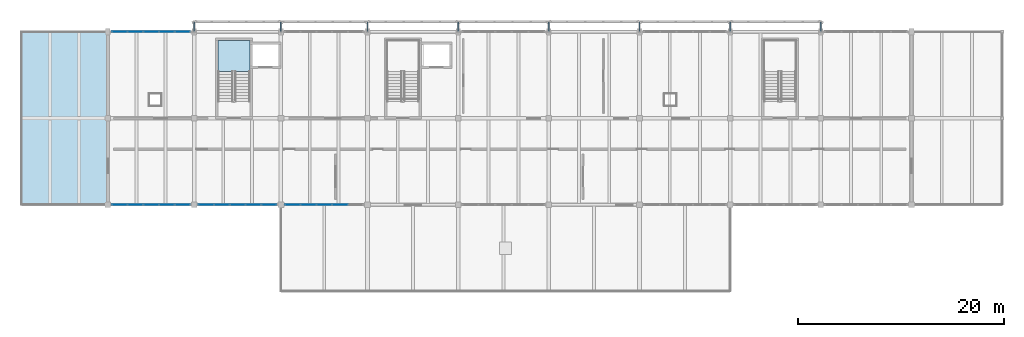
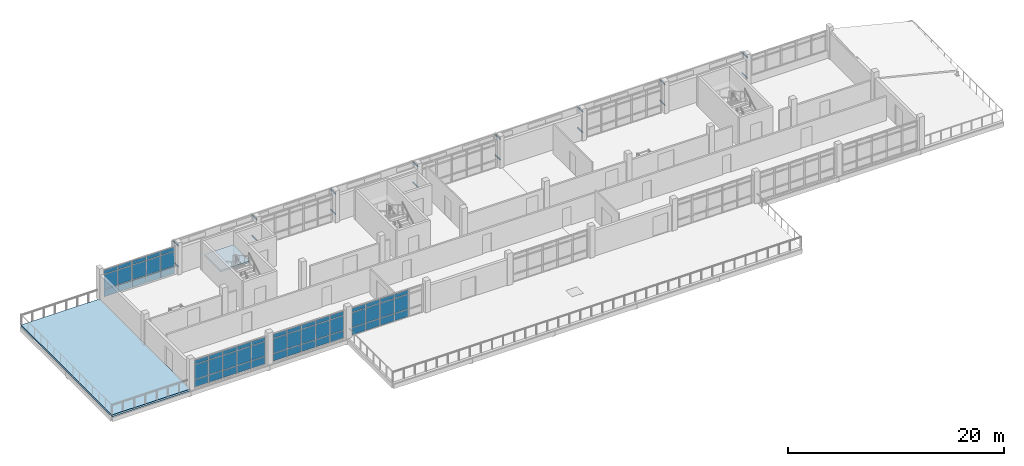
# One storey, part 20 of 30: 57 plates, 16 members, 2 slabs, 5 elements without a shape of their own.
"""IFC4 building model written with IfcOpenShell, lengths in metres."""

import ifcopenshell
import ifcopenshell.guid

model = None  # the IFC model being written
_history = None  # IfcOwnerHistory: only IFC2X3 demands one
_inside = {}  # id of a spatial element -> (the spatial element, [elements in it])
_under = {}  # id of a project, library or spatial element -> (it, [spatial elements below it])
_declared = {}  # id of a project -> (the project, [libraries it declares])
_typed = {}  # id of a type object -> (the type object, [elements of that type])
_made_of = {}  # id of a material, layer set ... -> (it, [elements and type objects made of it])


def new_model(schema):
    """Start an empty IFC model of exactly this schema.

    Asked for "IFC4X3", IfcOpenShell would pick the latest addendum, in which some entities
    have other attributes; the version numbers below select the first issue.
    IFC2X3 requires an IfcOwnerHistory on every rooted entity: one is made here for all.
    """
    global model, _history
    if schema == "IFC4X3":
        model = ifcopenshell.file(schema_version=(4, 3, 0, 0))
    else:
        model = ifcopenshell.file(schema=schema)
    _inside.clear()
    _under.clear()
    _declared.clear()
    _typed.clear()
    _made_of.clear()
    _history = None
    if model.schema == "IFC2X3":
        org = make("IfcOrganization", Name="unknown")
        user = make(
            "IfcPersonAndOrganization",
            ThePerson=make("IfcPerson", FamilyName="unknown"),
            TheOrganization=org,
        )
        app = make(
            "IfcApplication",
            ApplicationDeveloper=org,
            Version="unknown",
            ApplicationFullName="unknown",
            ApplicationIdentifier="unknown",
        )
        _history = make(
            "IfcOwnerHistory",
            OwningUser=user,
            OwningApplication=app,
            ChangeAction="ADDED",
            CreationDate=0,
        )
    return model


def make(cls, **values):
    """One entity of the class cls with the attributes given. An attribute that is None is left unset."""
    return model.create_entity(
        cls, **{name: value for name, value in values.items() if value is not None}
    )


def rooted(cls, **values):
    """An entity with a GlobalId (a new one), such as an element, a storey or a relation."""
    return make(cls, GlobalId=ifcopenshell.guid.new(), OwnerHistory=_history, **values)


def si_unit(unit_type, name, prefix=None):
    """IfcSIUnit, for example si_unit("LENGTHUNIT", "METRE", prefix="MILLI")."""
    return make("IfcSIUnit", UnitType=unit_type, Prefix=prefix, Name=name)


def assignment(units):
    """IfcUnitAssignment: the units of a project."""
    return None if units is None else make("IfcUnitAssignment", Units=units)


def point(xyz):
    """IfcCartesianPoint."""
    return None if xyz is None else make("IfcCartesianPoint", Coordinates=xyz)


def direction(xyz):
    """IfcDirection."""
    return None if xyz is None else make("IfcDirection", DirectionRatios=xyz)


def frame(location, z_axis=None, x_axis=None):
    """IfcAxis2Placement3D, a coordinate frame: its origin and axes. An axis left out is left unset."""
    return make(
        "IfcAxis2Placement3D",
        Location=point(location),
        Axis=direction(z_axis),
        RefDirection=direction(x_axis),
    )


def frame_2d(location, x_axis=None):
    """IfcAxis2Placement2D, a coordinate frame in the plane: its origin and x axis."""
    return make(
        "IfcAxis2Placement2D", Location=point(location), RefDirection=direction(x_axis)
    )


def origin():
    """The frame at (0, 0, 0) with its axes left unset."""
    return frame((0.0, 0.0, 0.0))


def origin_2d():
    """The frame at (0, 0) in the plane with its x axis left unset."""
    return frame_2d((0.0, 0.0))


def place(relative_to, where):
    """IfcLocalPlacement: puts the frame where relative to a parent placement (None: the world)."""
    return make(
        "IfcLocalPlacement", PlacementRelTo=relative_to, RelativePlacement=where
    )


def context(
    kind, dimensions, precision=None, world=None, true_north=None, identifier=None
):
    """IfcGeometricRepresentationContext, for example the 3D "Model" context."""
    return make(
        "IfcGeometricRepresentationContext",
        ContextIdentifier=identifier,
        ContextType=kind,
        CoordinateSpaceDimension=dimensions,
        Precision=precision,
        WorldCoordinateSystem=world,
        TrueNorth=true_north,
    )


def subcontext(parent, identifier, kind, view, scale=None):
    """IfcGeometricRepresentationSubContext, for example "Body" below "Model"."""
    return make(
        "IfcGeometricRepresentationSubContext",
        ContextIdentifier=identifier,
        ContextType=kind,
        ParentContext=parent,
        TargetScale=scale,
        TargetView=view,
    )


def project(units=None, contexts=None):
    """IfcProject with its units and contexts."""
    return rooted(
        "IfcProject",
        Name="project",
        RepresentationContexts=contexts,
        UnitsInContext=assignment(units),
    )


def spatial(cls, under=None, at=None, **own):
    """A site, building, storey or space (cls), placed at a placement, below another one or the project."""
    s = rooted(cls, ObjectPlacement=at, **own)
    if under is not None:
        _under.setdefault(under.id(), (under, []))[1].append(s)
    return s


def polyline(points):
    """IfcPolyline through the points."""
    return make("IfcPolyline", Points=[point(p) for p in points])


def profile(cls, at=None, kind="AREA", **sizes):
    """A parametric profile (cls). Its sizes go by their IFC names, for example OverallWidth=200.0."""
    return make(cls, ProfileType=kind, Position=at, **sizes)


def rectangle(**sizes):
    """IfcRectangleProfileDef."""
    return profile("IfcRectangleProfileDef", **sizes)


def hollow_circle(**sizes):
    """IfcCircleHollowProfileDef."""
    return profile("IfcCircleHollowProfileDef", **sizes)


def outline(outer, holes=None, kind="AREA"):
    """IfcArbitraryClosedProfileDef: a profile drawn as a closed curve; with holes, ...WithVoids."""
    if holes is None:
        return make("IfcArbitraryClosedProfileDef", ProfileType=kind, OuterCurve=outer)
    return make(
        "IfcArbitraryProfileDefWithVoids",
        ProfileType=kind,
        OuterCurve=outer,
        InnerCurves=holes,
    )


def extrude(swept, where, along, depth):
    """IfcExtrudedAreaSolid: the profile swept, set in the frame where, extruded along a direction by depth."""
    return make(
        "IfcExtrudedAreaSolid",
        SweptArea=swept,
        Position=where,
        ExtrudedDirection=direction(along),
        Depth=depth,
    )


def shape(context_of_items, identifier, shape_type, items):
    """IfcShapeRepresentation: the items that make up one representation, for example the "Body"."""
    return make(
        "IfcShapeRepresentation",
        ContextOfItems=context_of_items,
        RepresentationIdentifier=identifier,
        RepresentationType=shape_type,
        Items=items,
    )


def material(Name=None, Category=None):
    """IfcMaterial."""
    return make("IfcMaterial", Name=Name, Category=Category)


def layer(
    of_material, thickness, ventilated=None, Name=None, Category=None, Priority=None
):
    """IfcMaterialLayer: one layer of a wall or slab, of a material (None: an air gap)."""
    return make(
        "IfcMaterialLayer",
        Material=of_material,
        LayerThickness=thickness,
        IsVentilated=ventilated,
        Name=Name,
        Category=Category,
        Priority=Priority,
    )


def layer_set(layers, Name=None):
    """IfcMaterialLayerSet."""
    return make("IfcMaterialLayerSet", MaterialLayers=layers, LayerSetName=Name)


def material_profile(
    of_material, cross_section, Name=None, Category=None, Priority=None
):
    """IfcMaterialProfile: a cross section and its material."""
    return make(
        "IfcMaterialProfile",
        Name=Name,
        Material=of_material,
        Profile=cross_section,
        Priority=Priority,
        Category=Category,
    )


def profile_set(profiles, Name=None, composite=None):
    """IfcMaterialProfileSet."""
    return make(
        "IfcMaterialProfileSet",
        Name=Name,
        MaterialProfiles=profiles,
        CompositeProfile=composite,
    )


def made_of(thing, what):
    """Note that an element or type object is made of a material, layer set ...; save() writes the relation."""
    if what is not None:
        _made_of.setdefault(what.id(), (what, []))[1].append(thing)
    return thing


def type_object(cls, material=None, **own):
    """A type object (cls), such as IfcWallType, which elements share."""
    return made_of(rooted(cls, **own), material)


def element(
    cls,
    number,
    at=None,
    inside=None,
    cuts=None,
    type_object=None,
    material=None,
    context=None,
    identifier="Body",
    shape_type=None,
    held_by="IfcProductDefinitionShape",
    body=None,
    shapes=None,
    **own,
):
    """One element of the class cls, such as IfcWall. Its Tag is "e" and its number.

    at: its placement. inside: the storey or other place that contains it. cuts: it is an
    opening in that element (IfcRelVoidsElement). A single representation is given by context,
    identifier, shape_type and body (its items); several are given by shapes. held_by: the class
    of the entity that holds the representations. save() writes the other relations.
    """
    e = rooted(cls, Tag="e%d" % number, ObjectPlacement=at, **own)
    if body is not None:
        shapes = [shape(context, identifier, shape_type, body)]
    if shapes is not None:
        e.Representation = make(held_by, Representations=shapes)
    if inside is not None:
        _inside.setdefault(inside.id(), (inside, []))[1].append(e)
    if cuts is not None:
        rooted(
            "IfcRelVoidsElement", RelatingBuildingElement=cuts, RelatedOpeningElement=e
        )
    if type_object is not None:
        _typed.setdefault(type_object.id(), (type_object, []))[1].append(e)
    return made_of(e, material)


def aggregate(whole, parts):
    """IfcRelAggregates: a whole, such as a stair, and the parts it consists of."""
    return rooted("IfcRelAggregates", RelatingObject=whole, RelatedObjects=parts)


def save(model, path):
    """Write the relations noted so far, then the file.

    IfcRelAggregates (storeys below a building ...), IfcRelContainedInSpatialStructure (elements
    in a storey), IfcRelDefinesByType, IfcRelAssociatesMaterial and IfcRelDeclares: one each for
    every whole, place, type object, material and project.
    """
    for whole, parts in _under.values():
        aggregate(whole, parts)
    for where, things in _inside.values():
        rooted(
            "IfcRelContainedInSpatialStructure",
            RelatedElements=things,
            RelatingStructure=where,
        )
    for kind, things in _typed.values():
        rooted("IfcRelDefinesByType", RelatedObjects=things, RelatingType=kind)
    for what, things in _made_of.values():
        rooted("IfcRelAssociatesMaterial", RelatedObjects=things, RelatingMaterial=what)
    for by, libraries in _declared.values():
        rooted("IfcRelDeclares", RelatingContext=by, RelatedDefinitions=libraries)
    model.write(path)


model = new_model("IFC4")

# Units and contexts
model_context = context("Model", 3, precision=1e-05, world=origin(), true_north=direction((0.0, 1.0)))
body_context = subcontext(model_context, "Body", "Model", "MODEL_VIEW")
ifc_project = project(units=[si_unit("LENGTHUNIT", "METRE"), si_unit("AREAUNIT", "SQUARE_METRE"), si_unit("VOLUMEUNIT", "CUBIC_METRE"), si_unit("PLANEANGLEUNIT", "RADIAN"), si_unit("MASSUNIT", "GRAM", prefix="KILO")], contexts=[model_context])

# Site, building, storey
site_placement = place(None, origin())
site = spatial("IfcSite", under=ifc_project, at=site_placement, CompositionType="ELEMENT")
building_placement = place(site_placement, origin())
building = spatial("IfcBuilding", under=site, at=building_placement, Name="Cinderway Yard Community Centre", CompositionType="ELEMENT")
storey_placement = place(building_placement, frame((0.0, 0.0, 16.5)))
storey = spatial("IfcBuildingStorey", under=building, at=storey_placement, Name="L04", CompositionType="ELEMENT", Elevation=16.5)

# Members
ifc_material_1 = material(Name="Steel S355", Category="steel")
ifc_material_profile = material_profile(ifc_material_1, hollow_circle(Radius=0.06982421875, WallThickness=0.00634765625, at=origin_2d()), Name="Steel S355")
ifc_profile_set = profile_set([ifc_material_profile], Name="Steel S355")
member_type = type_object("IfcMemberType", Name="STR-MEM-STRUT-CHS140", PredefinedType="STRUT", material=ifc_profile_set)
for number, where, z_axis, x_axis, name in (
    (1, (58.39990234375, 115.199951171875, 0.7099609375), (0.0, 1.0, 0.0), (-1.0, 0.0, 0.0), "Screen outrigger strut 0141"),
    (2, (58.39990234375, 115.199951171875, 3.0400390625), (0.0, 1.0, 0.0), (-1.0, 0.0, 0.0), "Screen outrigger strut 0142"),
    (3, (66.800048828125, 115.199951171875, 0.7099609375), (0.0, 1.0, 0.0), (-1.0, 0.0, 0.0), "Screen outrigger strut 0145"),
    (4, (66.800048828125, 115.199951171875, 3.0400390625), (0.0, 1.0, 0.0), (-1.0, 0.0, 0.0), "Screen outrigger strut 0146"),
    (5, (75.199951171875, 115.199951171875, 0.7099609375), (0.0, 1.0, 0.0), (-1.0, 0.0, 0.0), "Screen outrigger strut 0149"),
    (6, (75.199951171875, 115.199951171875, 3.0400390625), (0.0, 1.0, 0.0), (-1.0, 0.0, 0.0), "Screen outrigger strut 0150"),
    (7, (84.0, 115.199951171875, 0.7099609375), (0.0, 1.0, 0.0), (-1.0, 0.0, 0.0), "Screen outrigger strut 0153"),
    (8, (84.0, 115.199951171875, 3.0400390625), (0.0, 1.0, 0.0), (-1.0, 0.0, 0.0), "Screen outrigger strut 0154"),
    (9, (92.800048828125, 115.199951171875, 0.7099609375), (0.0, 1.0, 0.0), (-1.0, 0.0, 0.0), "Screen outrigger strut 0157"),
    (10, (92.800048828125, 115.199951171875, 3.0400390625), (0.0, 1.0, 0.0), (-1.0, 0.0, 0.0), "Screen outrigger strut 0158"),
    (11, (101.60009765625, 115.199951171875, 0.7099609375), (0.0, 1.0, 0.0), (-1.0, 0.0, 0.0), "Screen outrigger strut 0161"),
    (12, (101.60009765625, 115.199951171875, 3.0400390625), (0.0, 1.0, 0.0), (-1.0, 0.0, 0.0), "Screen outrigger strut 0162"),
    (13, (110.39990234375, 115.199951171875, 0.7099609375), (0.0, 1.0, 0.0), (-1.0, 0.0, 0.0), "Screen outrigger strut 0165"),
    (14, (110.39990234375, 115.199951171875, 3.0400390625), (0.0, 1.0, 0.0), (-1.0, 0.0, 0.0), "Screen outrigger strut 0166"),
    (15, (119.199951171875, 115.199951171875, 0.7099609375), (0.0, 1.0, 0.0), (-1.0, 0.0, 0.0), "Screen outrigger strut 0169"),
    (16, (119.199951171875, 115.199951171875, 3.0400390625), (0.0, 1.0, 0.0), (-1.0, 0.0, 0.0), "Screen outrigger strut 0170"),
):
    element("IfcMember", number, at=place(storey_placement, frame(where, z_axis=z_axis, x_axis=x_axis)), inside=storey, type_object=member_type, Name=name, PredefinedType="STRUT", context=body_context, shape_type="SweptSolid", body=[
        extrude(hollow_circle(Radius=0.06982421875, WallThickness=0.00634765625, at=origin_2d()), origin(), (0.0, 0.0, 1.0), 0.949951171875),
    ])

# Curtain wall, plates
ifc_material_2 = material(Name="Aluminium 6063-T6", Category="aluminium")
curtain_wall_type = type_object("IfcCurtainWallType", Name="ENV-CW-TYPE-32", PredefinedType="USERDEFINED", material=ifc_material_2)
curtain_wall_1_placement = place(storey_placement, origin())
curtain_wall_1 = element("IfcCurtainWall", 17, at=curtain_wall_1_placement, inside=storey, type_object=curtain_wall_type, Name="V4 Street Curtain Wall ENV-CW-L04-ST-0176", ObjectType="GLAZED CURTAIN WALL", PredefinedType="USERDEFINED")
ifc_material_3 = material(Name="Laminated Low-E Glass", Category="glass")
ifc_layer_1 = layer(ifc_material_3, 0.028076171875, Name="Laminated Low-E Glass")
ifc_layer_set_1 = layer_set([ifc_layer_1], Name="Laminated Low-E Glass")
plate_type = type_object("IfcPlateType", Name="ENV-CW-PAN-IGU28", PredefinedType="CURTAIN_PANEL", material=ifc_layer_set_1)
plate_1_placement = place(storey_placement, frame((51.158935546875, 115.199951171875, 0.06005859375), z_axis=(0.0, 0.0, 1.0), x_axis=(1.0, 0.0, 0.0)))
plate_1 = element("IfcPlate", 18, at=plate_1_placement, type_object=plate_type, Name="CW-32 panel 1.1", PredefinedType="CURTAIN_PANEL", context=body_context, shape_type="SweptSolid", body=[
    extrude(rectangle(XDim=1.43798828125, YDim=0.028076171875, at=origin_2d()), origin(), (0.0, 0.0, 1.0), 0.81005859375),
])
plate_2_placement = place(storey_placement, frame((51.158935546875, 115.199951171875, 0.93017578125), z_axis=(0.0, 0.0, 1.0), x_axis=(1.0, 0.0, 0.0)))
plate_2 = element("IfcPlate", 19, at=plate_2_placement, type_object=plate_type, Name="CW-32 panel 1.2", PredefinedType="CURTAIN_PANEL", context=body_context, shape_type="SweptSolid", body=[
    extrude(rectangle(XDim=1.43798828125, YDim=0.028076171875, at=origin_2d()), origin(), (0.0, 0.0, 1.0), 1.639892578125),
])
plate_3_placement = place(storey_placement, frame((51.158935546875, 115.199951171875, 2.630126953125), z_axis=(0.0, 0.0, 1.0), x_axis=(1.0, 0.0, 0.0)))
plate_3 = element("IfcPlate", 20, at=plate_3_placement, type_object=plate_type, Name="CW-32 panel 1.3", PredefinedType="CURTAIN_PANEL", context=body_context, shape_type="SweptSolid", body=[
    extrude(rectangle(XDim=1.43798828125, YDim=0.028076171875, at=origin_2d()), origin(), (0.0, 0.0, 1.0), 0.4599609375),
])
plate_4_placement = place(storey_placement, frame((52.672119140625, 115.199951171875, 0.06005859375), z_axis=(0.0, 0.0, 1.0), x_axis=(1.0, 0.0, 0.0)))
plate_4 = element("IfcPlate", 21, at=plate_4_placement, type_object=plate_type, Name="CW-32 panel 2.1", PredefinedType="CURTAIN_PANEL", context=body_context, shape_type="SweptSolid", body=[
    extrude(rectangle(XDim=1.468017578125, YDim=0.028076171875, at=origin_2d()), origin(), (0.0, 0.0, 1.0), 0.81005859375),
])
plate_5_placement = place(storey_placement, frame((52.672119140625, 115.199951171875, 0.93017578125), z_axis=(0.0, 0.0, 1.0), x_axis=(1.0, 0.0, 0.0)))
plate_5 = element("IfcPlate", 22, at=plate_5_placement, type_object=plate_type, Name="CW-32 panel 2.2", PredefinedType="CURTAIN_PANEL", context=body_context, shape_type="SweptSolid", body=[
    extrude(rectangle(XDim=1.468017578125, YDim=0.028076171875, at=origin_2d()), origin(), (0.0, 0.0, 1.0), 1.639892578125),
])
plate_6_placement = place(storey_placement, frame((52.672119140625, 115.199951171875, 2.630126953125), z_axis=(0.0, 0.0, 1.0), x_axis=(1.0, 0.0, 0.0)))
plate_6 = element("IfcPlate", 23, at=plate_6_placement, type_object=plate_type, Name="CW-32 panel 2.3", PredefinedType="CURTAIN_PANEL", context=body_context, shape_type="SweptSolid", body=[
    extrude(rectangle(XDim=1.468017578125, YDim=0.028076171875, at=origin_2d()), origin(), (0.0, 0.0, 1.0), 0.4599609375),
])
plate_7_placement = place(storey_placement, frame((54.199951171875, 115.199951171875, 0.06005859375), z_axis=(0.0, 0.0, 1.0), x_axis=(1.0, 0.0, 0.0)))
plate_7 = element("IfcPlate", 24, at=plate_7_placement, type_object=plate_type, Name="CW-32 panel 3.1", PredefinedType="CURTAIN_PANEL", context=body_context, shape_type="SweptSolid", body=[
    extrude(rectangle(XDim=1.468017578125, YDim=0.028076171875, at=origin_2d()), origin(), (0.0, 0.0, 1.0), 0.81005859375),
])
plate_8_placement = place(storey_placement, frame((54.199951171875, 115.199951171875, 0.93017578125), z_axis=(0.0, 0.0, 1.0), x_axis=(1.0, 0.0, 0.0)))
plate_8 = element("IfcPlate", 25, at=plate_8_placement, type_object=plate_type, Name="CW-32 panel 3.2", PredefinedType="CURTAIN_PANEL", context=body_context, shape_type="SweptSolid", body=[
    extrude(rectangle(XDim=1.468017578125, YDim=0.028076171875, at=origin_2d()), origin(), (0.0, 0.0, 1.0), 1.639892578125),
])
plate_9_placement = place(storey_placement, frame((54.199951171875, 115.199951171875, 2.630126953125), z_axis=(0.0, 0.0, 1.0), x_axis=(1.0, 0.0, 0.0)))
plate_9 = element("IfcPlate", 26, at=plate_9_placement, type_object=plate_type, Name="CW-32 panel 3.3", PredefinedType="CURTAIN_PANEL", context=body_context, shape_type="SweptSolid", body=[
    extrude(rectangle(XDim=1.468017578125, YDim=0.028076171875, at=origin_2d()), origin(), (0.0, 0.0, 1.0), 0.4599609375),
])
plate_10_placement = place(storey_placement, frame((55.72802734375, 115.199951171875, 0.06005859375), z_axis=(0.0, 0.0, 1.0), x_axis=(1.0, 0.0, 0.0)))
plate_10 = element("IfcPlate", 27, at=plate_10_placement, type_object=plate_type, Name="CW-32 panel 4.1", PredefinedType="CURTAIN_PANEL", context=body_context, shape_type="SweptSolid", body=[
    extrude(rectangle(XDim=1.468017578125, YDim=0.028076171875, at=origin_2d()), origin(), (0.0, 0.0, 1.0), 0.81005859375),
])
plate_11_placement = place(storey_placement, frame((55.72802734375, 115.199951171875, 0.93017578125), z_axis=(0.0, 0.0, 1.0), x_axis=(1.0, 0.0, 0.0)))
plate_11 = element("IfcPlate", 28, at=plate_11_placement, type_object=plate_type, Name="CW-32 panel 4.2", PredefinedType="CURTAIN_PANEL", context=body_context, shape_type="SweptSolid", body=[
    extrude(rectangle(XDim=1.468017578125, YDim=0.028076171875, at=origin_2d()), origin(), (0.0, 0.0, 1.0), 1.639892578125),
])
plate_12_placement = place(storey_placement, frame((55.72802734375, 115.199951171875, 2.630126953125), z_axis=(0.0, 0.0, 1.0), x_axis=(1.0, 0.0, 0.0)))
plate_12 = element("IfcPlate", 29, at=plate_12_placement, type_object=plate_type, Name="CW-32 panel 4.3", PredefinedType="CURTAIN_PANEL", context=body_context, shape_type="SweptSolid", body=[
    extrude(rectangle(XDim=1.468017578125, YDim=0.028076171875, at=origin_2d()), origin(), (0.0, 0.0, 1.0), 0.4599609375),
])
plate_13_placement = place(storey_placement, frame((57.240966796875, 115.199951171875, 0.06005859375), z_axis=(0.0, 0.0, 1.0), x_axis=(1.0, 0.0, 0.0)))
plate_13 = element("IfcPlate", 30, at=plate_13_placement, type_object=plate_type, Name="CW-32 panel 5.1", PredefinedType="CURTAIN_PANEL", context=body_context, shape_type="SweptSolid", body=[
    extrude(rectangle(XDim=1.43798828125, YDim=0.028076171875, at=origin_2d()), origin(), (0.0, 0.0, 1.0), 0.81005859375),
])
plate_14_placement = place(storey_placement, frame((57.240966796875, 115.199951171875, 0.93017578125), z_axis=(0.0, 0.0, 1.0), x_axis=(1.0, 0.0, 0.0)))
plate_14 = element("IfcPlate", 31, at=plate_14_placement, type_object=plate_type, Name="CW-32 panel 5.2", PredefinedType="CURTAIN_PANEL", context=body_context, shape_type="SweptSolid", body=[
    extrude(rectangle(XDim=1.43798828125, YDim=0.028076171875, at=origin_2d()), origin(), (0.0, 0.0, 1.0), 1.639892578125),
])
plate_15_placement = place(storey_placement, frame((57.240966796875, 115.199951171875, 2.630126953125), z_axis=(0.0, 0.0, 1.0), x_axis=(1.0, 0.0, 0.0)))
plate_15 = element("IfcPlate", 32, at=plate_15_placement, type_object=plate_type, Name="CW-32 panel 5.3", PredefinedType="CURTAIN_PANEL", context=body_context, shape_type="SweptSolid", body=[
    extrude(rectangle(XDim=1.43798828125, YDim=0.028076171875, at=origin_2d()), origin(), (0.0, 0.0, 1.0), 0.4599609375),
])
aggregate(curtain_wall_1, [plate_1, plate_2, plate_3, plate_4, plate_5, plate_6, plate_7, plate_8, plate_9, plate_10, plate_11, plate_12, plate_13, plate_14, plate_15])

curtain_wall_2_placement = place(storey_placement, origin())
curtain_wall_2 = element("IfcCurtainWall", 33, at=curtain_wall_2_placement, inside=storey, type_object=curtain_wall_type, Name="V4 Courtyard Curtain Wall ENV-CW-L04-ST-0177", ObjectType="GLAZED CURTAIN WALL", PredefinedType="USERDEFINED")
plate_16_placement = place(storey_placement, frame((51.158935546875, 98.39990234375, 0.06005859375), z_axis=(0.0, 0.0, 1.0), x_axis=(1.0, 0.0, 0.0)))
plate_16 = element("IfcPlate", 34, at=plate_16_placement, type_object=plate_type, Name="CW-32 panel 1.1", PredefinedType="CURTAIN_PANEL", context=body_context, shape_type="SweptSolid", body=[
    extrude(rectangle(XDim=1.43798828125, YDim=0.028076171875, at=origin_2d()), origin(), (0.0, 0.0, 1.0), 0.81005859375),
])
plate_17_placement = place(storey_placement, frame((51.158935546875, 98.39990234375, 0.93017578125), z_axis=(0.0, 0.0, 1.0), x_axis=(1.0, 0.0, 0.0)))
plate_17 = element("IfcPlate", 35, at=plate_17_placement, type_object=plate_type, Name="CW-32 panel 1.2", PredefinedType="CURTAIN_PANEL", context=body_context, shape_type="SweptSolid", body=[
    extrude(rectangle(XDim=1.43798828125, YDim=0.028076171875, at=origin_2d()), origin(), (0.0, 0.0, 1.0), 1.639892578125),
])
plate_18_placement = place(storey_placement, frame((51.158935546875, 98.39990234375, 2.630126953125), z_axis=(0.0, 0.0, 1.0), x_axis=(1.0, 0.0, 0.0)))
plate_18 = element("IfcPlate", 36, at=plate_18_placement, type_object=plate_type, Name="CW-32 panel 1.3", PredefinedType="CURTAIN_PANEL", context=body_context, shape_type="SweptSolid", body=[
    extrude(rectangle(XDim=1.43798828125, YDim=0.028076171875, at=origin_2d()), origin(), (0.0, 0.0, 1.0), 0.4599609375),
])
plate_19_placement = place(storey_placement, frame((52.672119140625, 98.39990234375, 0.06005859375), z_axis=(0.0, 0.0, 1.0), x_axis=(1.0, 0.0, 0.0)))
plate_19 = element("IfcPlate", 37, at=plate_19_placement, type_object=plate_type, Name="CW-32 panel 2.1", PredefinedType="CURTAIN_PANEL", context=body_context, shape_type="SweptSolid", body=[
    extrude(rectangle(XDim=1.468017578125, YDim=0.028076171875, at=origin_2d()), origin(), (0.0, 0.0, 1.0), 0.81005859375),
])
plate_20_placement = place(storey_placement, frame((52.672119140625, 98.39990234375, 0.93017578125), z_axis=(0.0, 0.0, 1.0), x_axis=(1.0, 0.0, 0.0)))
plate_20 = element("IfcPlate", 38, at=plate_20_placement, type_object=plate_type, Name="CW-32 panel 2.2", PredefinedType="CURTAIN_PANEL", context=body_context, shape_type="SweptSolid", body=[
    extrude(rectangle(XDim=1.468017578125, YDim=0.028076171875, at=origin_2d()), origin(), (0.0, 0.0, 1.0), 1.639892578125),
])
plate_21_placement = place(storey_placement, frame((52.672119140625, 98.39990234375, 2.630126953125), z_axis=(0.0, 0.0, 1.0), x_axis=(1.0, 0.0, 0.0)))
plate_21 = element("IfcPlate", 39, at=plate_21_placement, type_object=plate_type, Name="CW-32 panel 2.3", PredefinedType="CURTAIN_PANEL", context=body_context, shape_type="SweptSolid", body=[
    extrude(rectangle(XDim=1.468017578125, YDim=0.028076171875, at=origin_2d()), origin(), (0.0, 0.0, 1.0), 0.4599609375),
])
plate_22_placement = place(storey_placement, frame((54.199951171875, 98.39990234375, 0.06005859375), z_axis=(0.0, 0.0, 1.0), x_axis=(1.0, 0.0, 0.0)))
plate_22 = element("IfcPlate", 40, at=plate_22_placement, type_object=plate_type, Name="CW-32 panel 3.1", PredefinedType="CURTAIN_PANEL", context=body_context, shape_type="SweptSolid", body=[
    extrude(rectangle(XDim=1.468017578125, YDim=0.028076171875, at=origin_2d()), origin(), (0.0, 0.0, 1.0), 0.81005859375),
])
plate_23_placement = place(storey_placement, frame((54.199951171875, 98.39990234375, 0.93017578125), z_axis=(0.0, 0.0, 1.0), x_axis=(1.0, 0.0, 0.0)))
plate_23 = element("IfcPlate", 41, at=plate_23_placement, type_object=plate_type, Name="CW-32 panel 3.2", PredefinedType="CURTAIN_PANEL", context=body_context, shape_type="SweptSolid", body=[
    extrude(rectangle(XDim=1.468017578125, YDim=0.028076171875, at=origin_2d()), origin(), (0.0, 0.0, 1.0), 1.639892578125),
])
plate_24_placement = place(storey_placement, frame((54.199951171875, 98.39990234375, 2.630126953125), z_axis=(0.0, 0.0, 1.0), x_axis=(1.0, 0.0, 0.0)))
plate_24 = element("IfcPlate", 42, at=plate_24_placement, type_object=plate_type, Name="CW-32 panel 3.3", PredefinedType="CURTAIN_PANEL", context=body_context, shape_type="SweptSolid", body=[
    extrude(rectangle(XDim=1.468017578125, YDim=0.028076171875, at=origin_2d()), origin(), (0.0, 0.0, 1.0), 0.4599609375),
])
plate_25_placement = place(storey_placement, frame((55.72802734375, 98.39990234375, 0.06005859375), z_axis=(0.0, 0.0, 1.0), x_axis=(1.0, 0.0, 0.0)))
plate_25 = element("IfcPlate", 43, at=plate_25_placement, type_object=plate_type, Name="CW-32 panel 4.1", PredefinedType="CURTAIN_PANEL", context=body_context, shape_type="SweptSolid", body=[
    extrude(rectangle(XDim=1.468017578125, YDim=0.028076171875, at=origin_2d()), origin(), (0.0, 0.0, 1.0), 0.81005859375),
])
plate_26_placement = place(storey_placement, frame((55.72802734375, 98.39990234375, 0.93017578125), z_axis=(0.0, 0.0, 1.0), x_axis=(1.0, 0.0, 0.0)))
plate_26 = element("IfcPlate", 44, at=plate_26_placement, type_object=plate_type, Name="CW-32 panel 4.2", PredefinedType="CURTAIN_PANEL", context=body_context, shape_type="SweptSolid", body=[
    extrude(rectangle(XDim=1.468017578125, YDim=0.028076171875, at=origin_2d()), origin(), (0.0, 0.0, 1.0), 1.639892578125),
])
plate_27_placement = place(storey_placement, frame((55.72802734375, 98.39990234375, 2.630126953125), z_axis=(0.0, 0.0, 1.0), x_axis=(1.0, 0.0, 0.0)))
plate_27 = element("IfcPlate", 45, at=plate_27_placement, type_object=plate_type, Name="CW-32 panel 4.3", PredefinedType="CURTAIN_PANEL", context=body_context, shape_type="SweptSolid", body=[
    extrude(rectangle(XDim=1.468017578125, YDim=0.028076171875, at=origin_2d()), origin(), (0.0, 0.0, 1.0), 0.4599609375),
])
plate_28_placement = place(storey_placement, frame((57.240966796875, 98.39990234375, 0.06005859375), z_axis=(0.0, 0.0, 1.0), x_axis=(1.0, 0.0, 0.0)))
plate_28 = element("IfcPlate", 46, at=plate_28_placement, type_object=plate_type, Name="CW-32 panel 5.1", PredefinedType="CURTAIN_PANEL", context=body_context, shape_type="SweptSolid", body=[
    extrude(rectangle(XDim=1.43798828125, YDim=0.028076171875, at=origin_2d()), origin(), (0.0, 0.0, 1.0), 0.81005859375),
])
plate_29_placement = place(storey_placement, frame((57.240966796875, 98.39990234375, 0.93017578125), z_axis=(0.0, 0.0, 1.0), x_axis=(1.0, 0.0, 0.0)))
plate_29 = element("IfcPlate", 47, at=plate_29_placement, type_object=plate_type, Name="CW-32 panel 5.2", PredefinedType="CURTAIN_PANEL", context=body_context, shape_type="SweptSolid", body=[
    extrude(rectangle(XDim=1.43798828125, YDim=0.028076171875, at=origin_2d()), origin(), (0.0, 0.0, 1.0), 1.639892578125),
])
plate_30_placement = place(storey_placement, frame((57.240966796875, 98.39990234375, 2.630126953125), z_axis=(0.0, 0.0, 1.0), x_axis=(1.0, 0.0, 0.0)))
plate_30 = element("IfcPlate", 48, at=plate_30_placement, type_object=plate_type, Name="CW-32 panel 5.3", PredefinedType="CURTAIN_PANEL", context=body_context, shape_type="SweptSolid", body=[
    extrude(rectangle(XDim=1.43798828125, YDim=0.028076171875, at=origin_2d()), origin(), (0.0, 0.0, 1.0), 0.4599609375),
])
aggregate(curtain_wall_2, [plate_16, plate_17, plate_18, plate_19, plate_20, plate_21, plate_22, plate_23, plate_24, plate_25, plate_26, plate_27, plate_28, plate_29, plate_30])

curtain_wall_3_placement = place(storey_placement, origin())
curtain_wall_3 = element("IfcCurtainWall", 49, at=curtain_wall_3_placement, inside=storey, type_object=curtain_wall_type, Name="V4 Courtyard Curtain Wall ENV-CW-L04-ST-0178", ObjectType="GLAZED CURTAIN WALL", PredefinedType="USERDEFINED")
plate_31_placement = place(storey_placement, frame((59.55908203125, 98.39990234375, 0.06005859375), z_axis=(0.0, 0.0, 1.0), x_axis=(1.0, 0.0, 0.0)))
plate_31 = element("IfcPlate", 50, at=plate_31_placement, type_object=plate_type, Name="CW-32 panel 1.1", PredefinedType="CURTAIN_PANEL", context=body_context, shape_type="SweptSolid", body=[
    extrude(rectangle(XDim=1.43798828125, YDim=0.028076171875, at=origin_2d()), origin(), (0.0, 0.0, 1.0), 0.81005859375),
])
plate_32_placement = place(storey_placement, frame((59.55908203125, 98.39990234375, 0.93017578125), z_axis=(0.0, 0.0, 1.0), x_axis=(1.0, 0.0, 0.0)))
plate_32 = element("IfcPlate", 51, at=plate_32_placement, type_object=plate_type, Name="CW-32 panel 1.2", PredefinedType="CURTAIN_PANEL", context=body_context, shape_type="SweptSolid", body=[
    extrude(rectangle(XDim=1.43798828125, YDim=0.028076171875, at=origin_2d()), origin(), (0.0, 0.0, 1.0), 1.639892578125),
])
plate_33_placement = place(storey_placement, frame((59.55908203125, 98.39990234375, 2.630126953125), z_axis=(0.0, 0.0, 1.0), x_axis=(1.0, 0.0, 0.0)))
plate_33 = element("IfcPlate", 52, at=plate_33_placement, type_object=plate_type, Name="CW-32 panel 1.3", PredefinedType="CURTAIN_PANEL", context=body_context, shape_type="SweptSolid", body=[
    extrude(rectangle(XDim=1.43798828125, YDim=0.028076171875, at=origin_2d()), origin(), (0.0, 0.0, 1.0), 0.4599609375),
])
plate_34_placement = place(storey_placement, frame((61.072021484375, 98.39990234375, 0.06005859375), z_axis=(0.0, 0.0, 1.0), x_axis=(1.0, 0.0, 0.0)))
plate_34 = element("IfcPlate", 53, at=plate_34_placement, type_object=plate_type, Name="CW-32 panel 2.1", PredefinedType="CURTAIN_PANEL", context=body_context, shape_type="SweptSolid", body=[
    extrude(rectangle(XDim=1.468017578125, YDim=0.028076171875, at=origin_2d()), origin(), (0.0, 0.0, 1.0), 0.81005859375),
])
plate_35_placement = place(storey_placement, frame((61.072021484375, 98.39990234375, 0.93017578125), z_axis=(0.0, 0.0, 1.0), x_axis=(1.0, 0.0, 0.0)))
plate_35 = element("IfcPlate", 54, at=plate_35_placement, type_object=plate_type, Name="CW-32 panel 2.2", PredefinedType="CURTAIN_PANEL", context=body_context, shape_type="SweptSolid", body=[
    extrude(rectangle(XDim=1.468017578125, YDim=0.028076171875, at=origin_2d()), origin(), (0.0, 0.0, 1.0), 1.639892578125),
])
plate_36_placement = place(storey_placement, frame((61.072021484375, 98.39990234375, 2.630126953125), z_axis=(0.0, 0.0, 1.0), x_axis=(1.0, 0.0, 0.0)))
plate_36 = element("IfcPlate", 55, at=plate_36_placement, type_object=plate_type, Name="CW-32 panel 2.3", PredefinedType="CURTAIN_PANEL", context=body_context, shape_type="SweptSolid", body=[
    extrude(rectangle(XDim=1.468017578125, YDim=0.028076171875, at=origin_2d()), origin(), (0.0, 0.0, 1.0), 0.4599609375),
])
plate_37_placement = place(storey_placement, frame((62.60009765625, 98.39990234375, 0.06005859375), z_axis=(0.0, 0.0, 1.0), x_axis=(1.0, 0.0, 0.0)))
plate_37 = element("IfcPlate", 56, at=plate_37_placement, type_object=plate_type, Name="CW-32 panel 3.1", PredefinedType="CURTAIN_PANEL", context=body_context, shape_type="SweptSolid", body=[
    extrude(rectangle(XDim=1.468017578125, YDim=0.028076171875, at=origin_2d()), origin(), (0.0, 0.0, 1.0), 0.81005859375),
])
plate_38_placement = place(storey_placement, frame((62.60009765625, 98.39990234375, 0.93017578125), z_axis=(0.0, 0.0, 1.0), x_axis=(1.0, 0.0, 0.0)))
plate_38 = element("IfcPlate", 57, at=plate_38_placement, type_object=plate_type, Name="CW-32 panel 3.2", PredefinedType="CURTAIN_PANEL", context=body_context, shape_type="SweptSolid", body=[
    extrude(rectangle(XDim=1.468017578125, YDim=0.028076171875, at=origin_2d()), origin(), (0.0, 0.0, 1.0), 1.639892578125),
])
plate_39_placement = place(storey_placement, frame((62.60009765625, 98.39990234375, 2.630126953125), z_axis=(0.0, 0.0, 1.0), x_axis=(1.0, 0.0, 0.0)))
plate_39 = element("IfcPlate", 58, at=plate_39_placement, type_object=plate_type, Name="CW-32 panel 3.3", PredefinedType="CURTAIN_PANEL", context=body_context, shape_type="SweptSolid", body=[
    extrude(rectangle(XDim=1.468017578125, YDim=0.028076171875, at=origin_2d()), origin(), (0.0, 0.0, 1.0), 0.4599609375),
])
plate_40_placement = place(storey_placement, frame((64.1279296875, 98.39990234375, 0.06005859375), z_axis=(0.0, 0.0, 1.0), x_axis=(1.0, 0.0, 0.0)))
plate_40 = element("IfcPlate", 59, at=plate_40_placement, type_object=plate_type, Name="CW-32 panel 4.1", PredefinedType="CURTAIN_PANEL", context=body_context, shape_type="SweptSolid", body=[
    extrude(rectangle(XDim=1.468017578125, YDim=0.028076171875, at=origin_2d()), origin(), (0.0, 0.0, 1.0), 0.81005859375),
])
plate_41_placement = place(storey_placement, frame((64.1279296875, 98.39990234375, 0.93017578125), z_axis=(0.0, 0.0, 1.0), x_axis=(1.0, 0.0, 0.0)))
plate_41 = element("IfcPlate", 60, at=plate_41_placement, type_object=plate_type, Name="CW-32 panel 4.2", PredefinedType="CURTAIN_PANEL", context=body_context, shape_type="SweptSolid", body=[
    extrude(rectangle(XDim=1.468017578125, YDim=0.028076171875, at=origin_2d()), origin(), (0.0, 0.0, 1.0), 1.639892578125),
])
plate_42_placement = place(storey_placement, frame((64.1279296875, 98.39990234375, 2.630126953125), z_axis=(0.0, 0.0, 1.0), x_axis=(1.0, 0.0, 0.0)))
plate_42 = element("IfcPlate", 61, at=plate_42_placement, type_object=plate_type, Name="CW-32 panel 4.3", PredefinedType="CURTAIN_PANEL", context=body_context, shape_type="SweptSolid", body=[
    extrude(rectangle(XDim=1.468017578125, YDim=0.028076171875, at=origin_2d()), origin(), (0.0, 0.0, 1.0), 0.4599609375),
])
plate_43_placement = place(storey_placement, frame((65.64111328125, 98.39990234375, 0.06005859375), z_axis=(0.0, 0.0, 1.0), x_axis=(1.0, 0.0, 0.0)))
plate_43 = element("IfcPlate", 62, at=plate_43_placement, type_object=plate_type, Name="CW-32 panel 5.1", PredefinedType="CURTAIN_PANEL", context=body_context, shape_type="SweptSolid", body=[
    extrude(rectangle(XDim=1.43798828125, YDim=0.028076171875, at=origin_2d()), origin(), (0.0, 0.0, 1.0), 0.81005859375),
])
plate_44_placement = place(storey_placement, frame((65.64111328125, 98.39990234375, 0.93017578125), z_axis=(0.0, 0.0, 1.0), x_axis=(1.0, 0.0, 0.0)))
plate_44 = element("IfcPlate", 63, at=plate_44_placement, type_object=plate_type, Name="CW-32 panel 5.2", PredefinedType="CURTAIN_PANEL", context=body_context, shape_type="SweptSolid", body=[
    extrude(rectangle(XDim=1.43798828125, YDim=0.028076171875, at=origin_2d()), origin(), (0.0, 0.0, 1.0), 1.639892578125),
])
plate_45_placement = place(storey_placement, frame((65.64111328125, 98.39990234375, 2.630126953125), z_axis=(0.0, 0.0, 1.0), x_axis=(1.0, 0.0, 0.0)))
plate_45 = element("IfcPlate", 64, at=plate_45_placement, type_object=plate_type, Name="CW-32 panel 5.3", PredefinedType="CURTAIN_PANEL", context=body_context, shape_type="SweptSolid", body=[
    extrude(rectangle(XDim=1.43798828125, YDim=0.028076171875, at=origin_2d()), origin(), (0.0, 0.0, 1.0), 0.4599609375),
])
aggregate(curtain_wall_3, [plate_31, plate_32, plate_33, plate_34, plate_35, plate_36, plate_37, plate_38, plate_39, plate_40, plate_41, plate_42, plate_43, plate_44, plate_45])

curtain_wall_4_placement = place(storey_placement, origin())
curtain_wall_4 = element("IfcCurtainWall", 65, at=curtain_wall_4_placement, inside=storey, type_object=curtain_wall_type, Name="V4 Courtyard Curtain Wall ENV-CW-L04-ST-0180", ObjectType="GLAZED CURTAIN WALL", PredefinedType="USERDEFINED")
plate_46_placement = place(storey_placement, frame((67.958984375, 98.39990234375, 0.06005859375), z_axis=(0.0, 0.0, 1.0), x_axis=(1.0, 0.0, 0.0)))
plate_46 = element("IfcPlate", 66, at=plate_46_placement, type_object=plate_type, Name="CW-32 panel 1.1", PredefinedType="CURTAIN_PANEL", context=body_context, shape_type="SweptSolid", body=[
    extrude(rectangle(XDim=1.43798828125, YDim=0.028076171875, at=origin_2d()), origin(), (0.0, 0.0, 1.0), 0.81005859375),
])
plate_47_placement = place(storey_placement, frame((67.958984375, 98.39990234375, 0.93017578125), z_axis=(0.0, 0.0, 1.0), x_axis=(1.0, 0.0, 0.0)))
plate_47 = element("IfcPlate", 67, at=plate_47_placement, type_object=plate_type, Name="CW-32 panel 1.2", PredefinedType="CURTAIN_PANEL", context=body_context, shape_type="SweptSolid", body=[
    extrude(rectangle(XDim=1.43798828125, YDim=0.028076171875, at=origin_2d()), origin(), (0.0, 0.0, 1.0), 1.639892578125),
])
plate_48_placement = place(storey_placement, frame((67.958984375, 98.39990234375, 2.630126953125), z_axis=(0.0, 0.0, 1.0), x_axis=(1.0, 0.0, 0.0)))
plate_48 = element("IfcPlate", 68, at=plate_48_placement, type_object=plate_type, Name="CW-32 panel 1.3", PredefinedType="CURTAIN_PANEL", context=body_context, shape_type="SweptSolid", body=[
    extrude(rectangle(XDim=1.43798828125, YDim=0.028076171875, at=origin_2d()), origin(), (0.0, 0.0, 1.0), 0.4599609375),
])
plate_49_placement = place(storey_placement, frame((69.471923828125, 98.39990234375, 0.06005859375), z_axis=(0.0, 0.0, 1.0), x_axis=(1.0, 0.0, 0.0)))
plate_49 = element("IfcPlate", 69, at=plate_49_placement, type_object=plate_type, Name="CW-32 panel 2.1", PredefinedType="CURTAIN_PANEL", context=body_context, shape_type="SweptSolid", body=[
    extrude(rectangle(XDim=1.468017578125, YDim=0.028076171875, at=origin_2d()), origin(), (0.0, 0.0, 1.0), 0.81005859375),
])
plate_50_placement = place(storey_placement, frame((69.471923828125, 98.39990234375, 0.93017578125), z_axis=(0.0, 0.0, 1.0), x_axis=(1.0, 0.0, 0.0)))
plate_50 = element("IfcPlate", 70, at=plate_50_placement, type_object=plate_type, Name="CW-32 panel 2.2", PredefinedType="CURTAIN_PANEL", context=body_context, shape_type="SweptSolid", body=[
    extrude(rectangle(XDim=1.468017578125, YDim=0.028076171875, at=origin_2d()), origin(), (0.0, 0.0, 1.0), 1.639892578125),
])
plate_51_placement = place(storey_placement, frame((69.471923828125, 98.39990234375, 2.630126953125), z_axis=(0.0, 0.0, 1.0), x_axis=(1.0, 0.0, 0.0)))
plate_51 = element("IfcPlate", 71, at=plate_51_placement, type_object=plate_type, Name="CW-32 panel 2.3", PredefinedType="CURTAIN_PANEL", context=body_context, shape_type="SweptSolid", body=[
    extrude(rectangle(XDim=1.468017578125, YDim=0.028076171875, at=origin_2d()), origin(), (0.0, 0.0, 1.0), 0.4599609375),
])
plate_52_placement = place(storey_placement, frame((71.0, 98.39990234375, 0.06005859375), z_axis=(0.0, 0.0, 1.0), x_axis=(1.0, 0.0, 0.0)))
plate_52 = element("IfcPlate", 72, at=plate_52_placement, type_object=plate_type, Name="CW-32 panel 3.1", PredefinedType="CURTAIN_PANEL", context=body_context, shape_type="SweptSolid", body=[
    extrude(rectangle(XDim=1.468017578125, YDim=0.028076171875, at=origin_2d()), origin(), (0.0, 0.0, 1.0), 0.81005859375),
])
plate_53_placement = place(storey_placement, frame((71.0, 98.39990234375, 0.93017578125), z_axis=(0.0, 0.0, 1.0), x_axis=(1.0, 0.0, 0.0)))
plate_53 = element("IfcPlate", 73, at=plate_53_placement, type_object=plate_type, Name="CW-32 panel 3.2", PredefinedType="CURTAIN_PANEL", context=body_context, shape_type="SweptSolid", body=[
    extrude(rectangle(XDim=1.468017578125, YDim=0.028076171875, at=origin_2d()), origin(), (0.0, 0.0, 1.0), 1.639892578125),
])
plate_54_placement = place(storey_placement, frame((71.0, 98.39990234375, 2.630126953125), z_axis=(0.0, 0.0, 1.0), x_axis=(1.0, 0.0, 0.0)))
plate_54 = element("IfcPlate", 74, at=plate_54_placement, type_object=plate_type, Name="CW-32 panel 3.3", PredefinedType="CURTAIN_PANEL", context=body_context, shape_type="SweptSolid", body=[
    extrude(rectangle(XDim=1.468017578125, YDim=0.028076171875, at=origin_2d()), origin(), (0.0, 0.0, 1.0), 0.4599609375),
])
plate_55_placement = place(storey_placement, frame((72.528076171875, 98.39990234375, 0.06005859375), z_axis=(0.0, 0.0, 1.0), x_axis=(1.0, 0.0, 0.0)))
plate_55 = element("IfcPlate", 75, at=plate_55_placement, type_object=plate_type, Name="CW-32 panel 4.1", PredefinedType="CURTAIN_PANEL", context=body_context, shape_type="SweptSolid", body=[
    extrude(rectangle(XDim=1.468017578125, YDim=0.028076171875, at=origin_2d()), origin(), (0.0, 0.0, 1.0), 0.81005859375),
])
plate_56_placement = place(storey_placement, frame((72.528076171875, 98.39990234375, 0.93017578125), z_axis=(0.0, 0.0, 1.0), x_axis=(1.0, 0.0, 0.0)))
plate_56 = element("IfcPlate", 76, at=plate_56_placement, type_object=plate_type, Name="CW-32 panel 4.2", PredefinedType="CURTAIN_PANEL", context=body_context, shape_type="SweptSolid", body=[
    extrude(rectangle(XDim=1.468017578125, YDim=0.028076171875, at=origin_2d()), origin(), (0.0, 0.0, 1.0), 1.639892578125),
])
plate_57_placement = place(storey_placement, frame((72.528076171875, 98.39990234375, 2.630126953125), z_axis=(0.0, 0.0, 1.0), x_axis=(1.0, 0.0, 0.0)))
plate_57 = element("IfcPlate", 77, at=plate_57_placement, type_object=plate_type, Name="CW-32 panel 4.3", PredefinedType="CURTAIN_PANEL", context=body_context, shape_type="SweptSolid", body=[
    extrude(rectangle(XDim=1.468017578125, YDim=0.028076171875, at=origin_2d()), origin(), (0.0, 0.0, 1.0), 0.4599609375),
])
aggregate(curtain_wall_4, [plate_46, plate_47, plate_48, plate_49, plate_50, plate_51, plate_52, plate_53, plate_54, plate_55, plate_56, plate_57])

# Stair, slab
ifc_material_4 = material(Name="Concrete C40/50", Category="concrete")
stair_type = type_object("IfcStairType", Name="INT-STR-360A", PredefinedType="HALF_TURN_STAIR", material=ifc_material_4)
stair_placement = place(storey_placement, origin())
stair = element("IfcStair", 78, at=stair_placement, inside=storey, type_object=stair_type, Name="L04 Core C1 Exit Stair ST-01", PredefinedType="HALF_TURN_STAIR")
ifc_layer_2 = layer(ifc_material_4, 0.199951171875, Name="Concrete C40/50")
ifc_layer_set_2 = layer_set([ifc_layer_2], Name="Concrete C40/50")
slab_type_1 = type_object("IfcSlabType", Name="INT-SLB-LND200", PredefinedType="LANDING", material=ifc_layer_set_2)
slab_1_placement = place(storey_placement, frame((0.0, 0.0, 1.60009765625)))
slab_1 = element("IfcSlab", 79, at=slab_1_placement, type_object=slab_type_1, Name="ST-01 landing 1", PredefinedType="LANDING", context=body_context, shape_type="SweptSolid", body=[
    extrude(outline(polyline([(63.800048828125, 111.330078125), (63.800048828125, 114.35009765625), (60.679931640625, 114.35009765625), (60.679931640625, 111.330078125), (63.800048828125, 111.330078125)])), origin(), (0.0, 0.0, 1.0), 0.199951171875),
])
aggregate(stair, [slab_1])

# Slab
ifc_layer_3 = layer(ifc_material_4, 0.219970703125, Name="Concrete C40/50")
ifc_layer_set_3 = layer_set([ifc_layer_3], Name="Concrete C40/50")
slab_type_2 = type_object("IfcSlabType", Name="STR-SLAB-TER-220", PredefinedType="FLOOR", material=ifc_layer_set_3)
slab_2_placement = place(storey_placement, frame((0.0, 0.0, -0.219970703125)))
element("IfcSlab", 80, at=slab_2_placement, inside=storey, type_object=slab_type_2, Name="V4 West Setback Terrace Slab L04 STR-SLAB-L04-042", PredefinedType="FLOOR", context=body_context, shape_type="SweptSolid", body=[
    extrude(outline(polyline([(41.60009765625, 98.39990234375), (50.0, 98.39990234375), (50.0, 115.199951171875), (41.60009765625, 115.199951171875), (41.60009765625, 98.39990234375)])), origin(), (0.0, 0.0, 1.0), 0.219970703125),
])

save(model, "model.ifc")
